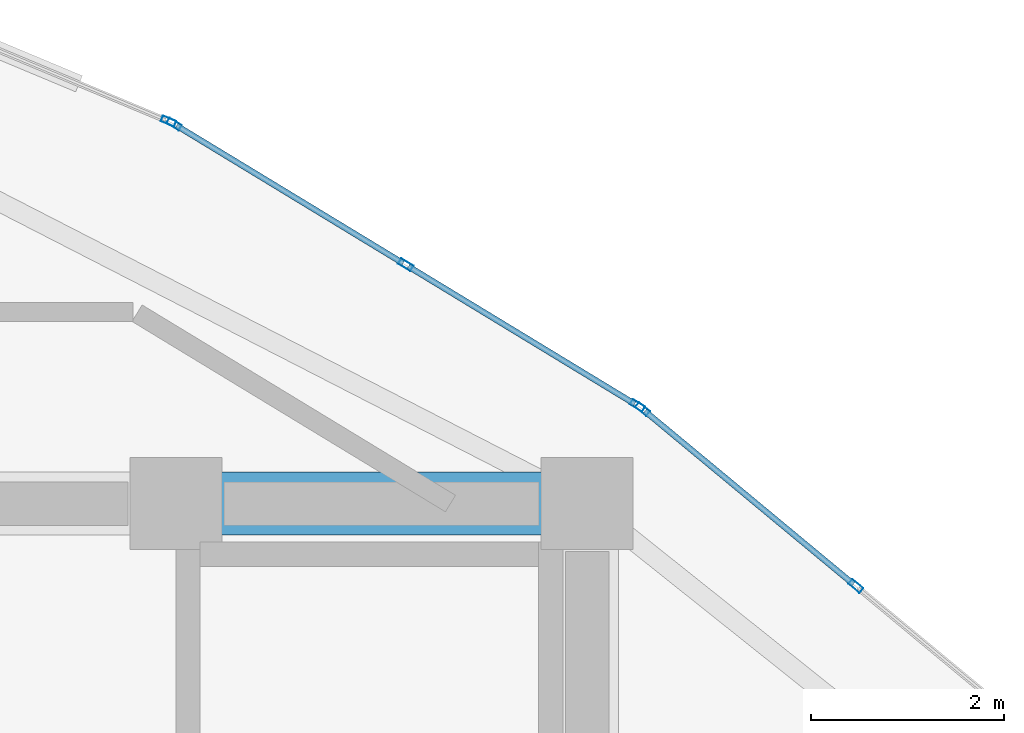
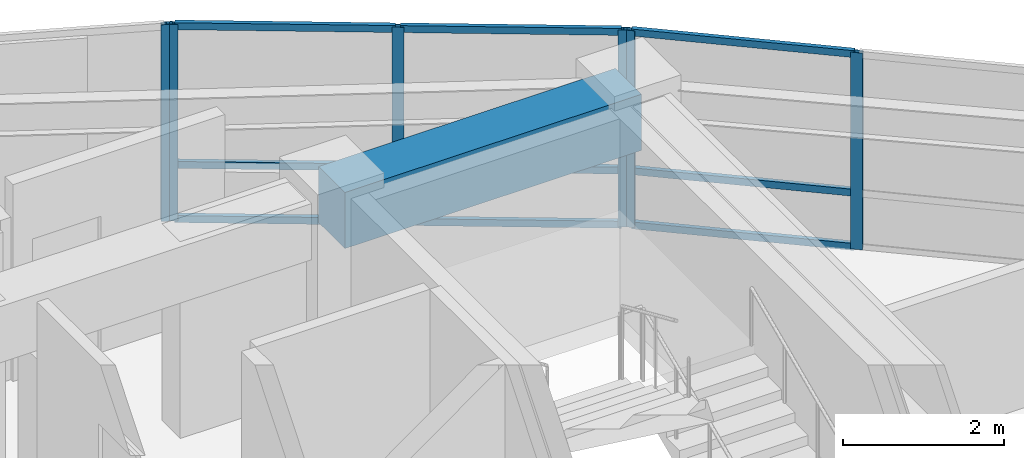
# One storey, part 10 of 14: 15 members, 1 beam, 3 elements without a shape of their own.
"""IFC4 building model written with IfcOpenShell, lengths in metres."""

import ifcopenshell
import ifcopenshell.guid

model = None  # the IFC model being written
_history = None  # IfcOwnerHistory: only IFC2X3 demands one
_inside = {}  # id of a spatial element -> (the spatial element, [elements in it])
_under = {}  # id of a project, library or spatial element -> (it, [spatial elements below it])
_declared = {}  # id of a project -> (the project, [libraries it declares])
_typed = {}  # id of a type object -> (the type object, [elements of that type])
_made_of = {}  # id of a material, layer set ... -> (it, [elements and type objects made of it])


def new_model(schema):
    """Start an empty IFC model of exactly this schema.

    Asked for "IFC4X3", IfcOpenShell would pick the latest addendum, in which some entities
    have other attributes; the version numbers below select the first issue.
    IFC2X3 requires an IfcOwnerHistory on every rooted entity: one is made here for all.
    """
    global model, _history
    if schema == "IFC4X3":
        model = ifcopenshell.file(schema_version=(4, 3, 0, 0))
    else:
        model = ifcopenshell.file(schema=schema)
    _inside.clear()
    _under.clear()
    _declared.clear()
    _typed.clear()
    _made_of.clear()
    _history = None
    if model.schema == "IFC2X3":
        org = make("IfcOrganization", Name="unknown")
        user = make(
            "IfcPersonAndOrganization",
            ThePerson=make("IfcPerson", FamilyName="unknown"),
            TheOrganization=org,
        )
        app = make(
            "IfcApplication",
            ApplicationDeveloper=org,
            Version="unknown",
            ApplicationFullName="unknown",
            ApplicationIdentifier="unknown",
        )
        _history = make(
            "IfcOwnerHistory",
            OwningUser=user,
            OwningApplication=app,
            ChangeAction="ADDED",
            CreationDate=0,
        )
    return model


def make(cls, **values):
    """One entity of the class cls with the attributes given. An attribute that is None is left unset."""
    return model.create_entity(
        cls, **{name: value for name, value in values.items() if value is not None}
    )


def rooted(cls, **values):
    """An entity with a GlobalId (a new one), such as an element, a storey or a relation."""
    return make(cls, GlobalId=ifcopenshell.guid.new(), OwnerHistory=_history, **values)


def si_unit(unit_type, name, prefix=None):
    """IfcSIUnit, for example si_unit("LENGTHUNIT", "METRE", prefix="MILLI")."""
    return make("IfcSIUnit", UnitType=unit_type, Prefix=prefix, Name=name)


def assignment(units):
    """IfcUnitAssignment: the units of a project."""
    return None if units is None else make("IfcUnitAssignment", Units=units)


def point(xyz):
    """IfcCartesianPoint."""
    return None if xyz is None else make("IfcCartesianPoint", Coordinates=xyz)


def direction(xyz):
    """IfcDirection."""
    return None if xyz is None else make("IfcDirection", DirectionRatios=xyz)


def frame(location, z_axis=None, x_axis=None):
    """IfcAxis2Placement3D, a coordinate frame: its origin and axes. An axis left out is left unset."""
    return make(
        "IfcAxis2Placement3D",
        Location=point(location),
        Axis=direction(z_axis),
        RefDirection=direction(x_axis),
    )


def frame_2d(location, x_axis=None):
    """IfcAxis2Placement2D, a coordinate frame in the plane: its origin and x axis."""
    return make(
        "IfcAxis2Placement2D", Location=point(location), RefDirection=direction(x_axis)
    )


def origin():
    """The frame at (0, 0, 0) with its axes left unset."""
    return frame((0.0, 0.0, 0.0))


def origin_2d():
    """The frame at (0, 0) in the plane with its x axis left unset."""
    return frame_2d((0.0, 0.0))


def place(relative_to, where):
    """IfcLocalPlacement: puts the frame where relative to a parent placement (None: the world)."""
    return make(
        "IfcLocalPlacement", PlacementRelTo=relative_to, RelativePlacement=where
    )


def context(
    kind, dimensions, precision=None, world=None, true_north=None, identifier=None
):
    """IfcGeometricRepresentationContext, for example the 3D "Model" context."""
    return make(
        "IfcGeometricRepresentationContext",
        ContextIdentifier=identifier,
        ContextType=kind,
        CoordinateSpaceDimension=dimensions,
        Precision=precision,
        WorldCoordinateSystem=world,
        TrueNorth=true_north,
    )


def subcontext(parent, identifier, kind, view, scale=None):
    """IfcGeometricRepresentationSubContext, for example "Body" below "Model"."""
    return make(
        "IfcGeometricRepresentationSubContext",
        ContextIdentifier=identifier,
        ContextType=kind,
        ParentContext=parent,
        TargetScale=scale,
        TargetView=view,
    )


def project(units=None, contexts=None):
    """IfcProject with its units and contexts."""
    return rooted(
        "IfcProject",
        Name="project",
        RepresentationContexts=contexts,
        UnitsInContext=assignment(units),
    )


def spatial(cls, under=None, at=None, **own):
    """A site, building, storey or space (cls), placed at a placement, below another one or the project."""
    s = rooted(cls, ObjectPlacement=at, **own)
    if under is not None:
        _under.setdefault(under.id(), (under, []))[1].append(s)
    return s


def profile(cls, at=None, kind="AREA", **sizes):
    """A parametric profile (cls). Its sizes go by their IFC names, for example OverallWidth=200.0."""
    return make(cls, ProfileType=kind, Position=at, **sizes)


def rectangle(**sizes):
    """IfcRectangleProfileDef."""
    return profile("IfcRectangleProfileDef", **sizes)


def hollow_rectangle(**sizes):
    """IfcRectangleHollowProfileDef."""
    return profile("IfcRectangleHollowProfileDef", **sizes)


def extrude(swept, where, along, depth):
    """IfcExtrudedAreaSolid: the profile swept, set in the frame where, extruded along a direction by depth."""
    return make(
        "IfcExtrudedAreaSolid",
        SweptArea=swept,
        Position=where,
        ExtrudedDirection=direction(along),
        Depth=depth,
    )


def shape(context_of_items, identifier, shape_type, items):
    """IfcShapeRepresentation: the items that make up one representation, for example the "Body"."""
    return make(
        "IfcShapeRepresentation",
        ContextOfItems=context_of_items,
        RepresentationIdentifier=identifier,
        RepresentationType=shape_type,
        Items=items,
    )


def material(Name=None, Category=None):
    """IfcMaterial."""
    return make("IfcMaterial", Name=Name, Category=Category)


def layer(
    of_material, thickness, ventilated=None, Name=None, Category=None, Priority=None
):
    """IfcMaterialLayer: one layer of a wall or slab, of a material (None: an air gap)."""
    return make(
        "IfcMaterialLayer",
        Material=of_material,
        LayerThickness=thickness,
        IsVentilated=ventilated,
        Name=Name,
        Category=Category,
        Priority=Priority,
    )


def layer_set(layers, Name=None):
    """IfcMaterialLayerSet."""
    return make("IfcMaterialLayerSet", MaterialLayers=layers, LayerSetName=Name)


def material_profile(
    of_material, cross_section, Name=None, Category=None, Priority=None
):
    """IfcMaterialProfile: a cross section and its material."""
    return make(
        "IfcMaterialProfile",
        Name=Name,
        Material=of_material,
        Profile=cross_section,
        Priority=Priority,
        Category=Category,
    )


def profile_set(profiles, Name=None, composite=None):
    """IfcMaterialProfileSet."""
    return make(
        "IfcMaterialProfileSet",
        Name=Name,
        MaterialProfiles=profiles,
        CompositeProfile=composite,
    )


def made_of(thing, what):
    """Note that an element or type object is made of a material, layer set ...; save() writes the relation."""
    if what is not None:
        _made_of.setdefault(what.id(), (what, []))[1].append(thing)
    return thing


def type_object(cls, material=None, **own):
    """A type object (cls), such as IfcWallType, which elements share."""
    return made_of(rooted(cls, **own), material)


def element(
    cls,
    number,
    at=None,
    inside=None,
    cuts=None,
    type_object=None,
    material=None,
    context=None,
    identifier="Body",
    shape_type=None,
    held_by="IfcProductDefinitionShape",
    body=None,
    shapes=None,
    **own,
):
    """One element of the class cls, such as IfcWall. Its Tag is "e" and its number.

    at: its placement. inside: the storey or other place that contains it. cuts: it is an
    opening in that element (IfcRelVoidsElement). A single representation is given by context,
    identifier, shape_type and body (its items); several are given by shapes. held_by: the class
    of the entity that holds the representations. save() writes the other relations.
    """
    e = rooted(cls, Tag="e%d" % number, ObjectPlacement=at, **own)
    if body is not None:
        shapes = [shape(context, identifier, shape_type, body)]
    if shapes is not None:
        e.Representation = make(held_by, Representations=shapes)
    if inside is not None:
        _inside.setdefault(inside.id(), (inside, []))[1].append(e)
    if cuts is not None:
        rooted(
            "IfcRelVoidsElement", RelatingBuildingElement=cuts, RelatedOpeningElement=e
        )
    if type_object is not None:
        _typed.setdefault(type_object.id(), (type_object, []))[1].append(e)
    return made_of(e, material)


def aggregate(whole, parts):
    """IfcRelAggregates: a whole, such as a stair, and the parts it consists of."""
    return rooted("IfcRelAggregates", RelatingObject=whole, RelatedObjects=parts)


def save(model, path):
    """Write the relations noted so far, then the file.

    IfcRelAggregates (storeys below a building ...), IfcRelContainedInSpatialStructure (elements
    in a storey), IfcRelDefinesByType, IfcRelAssociatesMaterial and IfcRelDeclares: one each for
    every whole, place, type object, material and project.
    """
    for whole, parts in _under.values():
        aggregate(whole, parts)
    for where, things in _inside.values():
        rooted(
            "IfcRelContainedInSpatialStructure",
            RelatedElements=things,
            RelatingStructure=where,
        )
    for kind, things in _typed.values():
        rooted("IfcRelDefinesByType", RelatedObjects=things, RelatingType=kind)
    for what, things in _made_of.values():
        rooted("IfcRelAssociatesMaterial", RelatedObjects=things, RelatingMaterial=what)
    for by, libraries in _declared.values():
        rooted("IfcRelDeclares", RelatingContext=by, RelatedDefinitions=libraries)
    model.write(path)


model = new_model("IFC4")

# Units and contexts
model_context = context("Model", 3, precision=1e-05, world=origin(), true_north=direction((0.0, 1.0)))
body_context = subcontext(model_context, "Body", "Model", "MODEL_VIEW")
ifc_project = project(units=[si_unit("LENGTHUNIT", "METRE"), si_unit("AREAUNIT", "SQUARE_METRE"), si_unit("VOLUMEUNIT", "CUBIC_METRE"), si_unit("PLANEANGLEUNIT", "RADIAN"), si_unit("MASSUNIT", "GRAM", prefix="KILO")], contexts=[model_context])

# Site, building, storey
site_placement = place(None, origin())
site = spatial("IfcSite", under=ifc_project, at=site_placement, CompositionType="ELEMENT")
building_placement = place(site_placement, origin())
building = spatial("IfcBuilding", under=site, at=building_placement, Name="Menara Vayukalpa", CompositionType="ELEMENT")
storey_placement = place(building_placement, frame((0.0, 0.0, 299.219970703125)))
storey = spatial("IfcBuildingStorey", under=building, at=storey_placement, Name="L76", CompositionType="ELEMENT", Elevation=299.219970703125)

# Beam
ifc_material_1 = material(Name="Concrete C60/75", Category="concrete")
ifc_material_profile_1 = material_profile(ifc_material_1, rectangle(XDim=0.64990234375, YDim=0.85009765625, at=origin_2d()), Name="RC 650x850")
ifc_profile_set_1 = profile_set([ifc_material_profile_1], Name="Concrete C60/75")
beam_type = type_object("IfcBeamType", Name="BM-CB1", PredefinedType="BEAM", material=ifc_profile_set_1)
beam_placement = place(storey_placement, frame((29.14990234375, 26.800048828125, 2.554931640625), z_axis=(1.0, 0.0, 0.0), x_axis=(0.0, 1.0, 0.0)))
element("IfcBeam", 1, at=beam_placement, inside=storey, type_object=beam_type, Name="L76 Core Tie Beam CBR6", PredefinedType="BEAM", context=body_context, shape_type="SweptSolid", body=[
    extrude(rectangle(XDim=0.64990234375, YDim=0.85009765625, at=origin_2d()), origin(), (0.0, 0.0, 1.0), 4.25),
])

# Curtain wall, members
ifc_material_2 = material(Name="Anodised Terracotta Aluminium Alloy 6063-T6", Category="masonry")
ifc_layer = layer(ifc_material_2, 0.14990234375)
ifc_layer_set = layer_set([ifc_layer], Name="Anodised Terracotta Aluminium Alloy 6063-T6")
curtain_wall_type = type_object("IfcCurtainWallType", Name="CW-CW7", PredefinedType="USERDEFINED", material=ifc_layer_set)
curtain_wall_1_placement = place(storey_placement, origin())
curtain_wall_1 = element("IfcCurtainWall", 2, at=curtain_wall_1_placement, inside=storey, type_object=curtain_wall_type, Name="L76 Crown Drum Screened Curtain Wall CW7 03", ObjectType="UNITISED", PredefinedType="USERDEFINED")
ifc_material_3 = material(Name="Anodised Terracotta Aluminium Alloy 6063-T6", Category="masonry")
ifc_material_profile_2 = material_profile(ifc_material_3, hollow_rectangle(XDim=0.06494140625, YDim=0.14990234375, WallThickness=0.00341796875, at=origin_2d()), Name="ALU 65x150x3.5")
ifc_profile_set_2 = profile_set([ifc_material_profile_2], Name="Anodised Terracotta Aluminium Alloy 6063-T6")
member_type_1 = type_object("IfcMemberType", Name="CWM-CW7", PredefinedType="MULLION", material=ifc_profile_set_2)
member_1_placement = place(storey_placement, frame((36.1796875, 25.946533203125, 0.0), z_axis=(0.0, 0.0, 1.0), x_axis=(-0.63834658997, -0.7697490702, 0.0)))
member_1 = element("IfcMember", 3, at=member_1_placement, type_object=member_type_1, Name="CW7 mullion 2", PredefinedType="MULLION", context=body_context, shape_type="SweptSolid", body=[
    extrude(hollow_rectangle(XDim=0.06494140625, YDim=0.14990234375, WallThickness=0.00341796875, at=origin_2d()), origin(), (0.0, 0.0, 1.0), 2.97998046875),
])
member_2_placement = place(storey_placement, frame((33.9736328125, 27.776123046875, 0.0), z_axis=(0.0, 0.0, 1.0), x_axis=(-0.63834658997, -0.7697490702, 0.0)))
member_2 = element("IfcMember", 4, at=member_2_placement, type_object=member_type_1, Name="CW7 mullion 3", PredefinedType="MULLION", context=body_context, shape_type="SweptSolid", body=[
    extrude(hollow_rectangle(XDim=0.06494140625, YDim=0.14990234375, WallThickness=0.00341796875, at=origin_2d()), origin(), (0.0, 0.0, 1.0), 2.97998046875),
])

curtain_wall_2_placement = place(storey_placement, origin())
curtain_wall_2 = element("IfcCurtainWall", 5, at=curtain_wall_2_placement, inside=storey, type_object=curtain_wall_type, Name="L76 Crown Drum Screened Curtain Wall CW7 04", ObjectType="UNITISED", PredefinedType="USERDEFINED")
member_3_placement = place(storey_placement, frame((33.9208984375, 27.813720703125, 0.0), z_axis=(0.0, 0.0, 1.0), x_axis=(-0.519176441176, -0.854667083096, 0.0)))
member_3 = element("IfcMember", 6, at=member_3_placement, type_object=member_type_1, Name="CW7 mullion 1", PredefinedType="MULLION", context=body_context, shape_type="SweptSolid", body=[
    extrude(hollow_rectangle(XDim=0.06494140625, YDim=0.14990234375, WallThickness=0.00341796875, at=origin_2d()), origin(), (0.0, 0.0, 1.0), 2.97998046875),
])
member_4_placement = place(storey_placement, frame((31.525146484375, 29.26904296875, 0.0), z_axis=(0.0, 0.0, 1.0), x_axis=(-0.519176441176, -0.854667083096, 0.0)))
member_4 = element("IfcMember", 7, at=member_4_placement, type_object=member_type_1, Name="CW7 mullion 2", PredefinedType="MULLION", context=body_context, shape_type="SweptSolid", body=[
    extrude(hollow_rectangle(XDim=0.06494140625, YDim=0.14990234375, WallThickness=0.00341796875, at=origin_2d()), origin(), (0.0, 0.0, 1.0), 2.97998046875),
])
member_5_placement = place(storey_placement, frame((29.129638671875, 30.72412109375, 0.0), z_axis=(0.0, 0.0, 1.0), x_axis=(-0.519176441176, -0.854667083096, 0.0)))
member_5 = element("IfcMember", 8, at=member_5_placement, type_object=member_type_1, Name="CW7 mullion 3", PredefinedType="MULLION", context=body_context, shape_type="SweptSolid", body=[
    extrude(hollow_rectangle(XDim=0.06494140625, YDim=0.14990234375, WallThickness=0.00341796875, at=origin_2d()), origin(), (0.0, 0.0, 1.0), 2.97998046875),
])

# Curtain wall, member
curtain_wall_3_placement = place(storey_placement, origin())
curtain_wall_3 = element("IfcCurtainWall", 9, at=curtain_wall_3_placement, inside=storey, type_object=curtain_wall_type, Name="L76 Crown Drum Screened Curtain Wall CW7 05", ObjectType="UNITISED", PredefinedType="USERDEFINED")
member_6_placement = place(storey_placement, frame((29.07177734375, 30.753662109375, 0.0), z_axis=(0.0, 0.0, 1.0), x_axis=(-0.385898361946, -0.922541302191, 0.0)))
member_6 = element("IfcMember", 10, at=member_6_placement, type_object=member_type_1, Name="CW7 mullion 1", PredefinedType="MULLION", context=body_context, shape_type="SweptSolid", body=[
    extrude(hollow_rectangle(XDim=0.06494140625, YDim=0.14990234375, WallThickness=0.00341796875, at=origin_2d()), origin(), (0.0, 0.0, 1.0), 2.97998046875),
])
aggregate(curtain_wall_3, [member_6])

# Member
ifc_material_4 = material(Name="Anodised Terracotta Aluminium Alloy 6063-T6", Category="masonry")
ifc_material_profile_3 = material_profile(ifc_material_4, hollow_rectangle(XDim=0.06005859375, YDim=0.10498046875, WallThickness=0.0029296875, at=origin_2d()), Name="ALU 60x105x3")
ifc_profile_set_3 = profile_set([ifc_material_profile_3], Name="Anodised Terracotta Aluminium Alloy 6063-T6")
member_type_2 = type_object("IfcMemberType", Name="CWT-CW7", PredefinedType="USERDEFINED", material=ifc_profile_set_3)
member_7_placement = place(storey_placement, frame((36.15478515625, 25.96728515625, 0.030029296875), z_axis=(-0.769726621741, 0.638373658434, 0.0), x_axis=(-0.638373658434, -0.769726621741, 0.0)))
member_7 = element("IfcMember", 11, at=member_7_placement, type_object=member_type_2, Name="CW7 transom 2.1", ObjectType="TRANSOM", PredefinedType="USERDEFINED", context=body_context, shape_type="SweptSolid", body=[
    extrude(hollow_rectangle(XDim=0.06005859375, YDim=0.10498046875, WallThickness=0.0029296875, at=origin_2d()), origin(), (0.0, 0.0, 1.0), 2.801025390625),
])

member_8_placement = place(storey_placement, frame((36.15478515625, 25.96728515625, 0.85009765625), z_axis=(-0.769726621741, 0.638373658434, 0.0), x_axis=(-0.638373658434, -0.769726621741, 0.0)))
member_8 = element("IfcMember", 12, at=member_8_placement, type_object=member_type_2, Name="CW7 transom 2.2", ObjectType="TRANSOM", PredefinedType="USERDEFINED", context=body_context, shape_type="SweptSolid", body=[
    extrude(hollow_rectangle(XDim=0.06005859375, YDim=0.10498046875, WallThickness=0.0029296875, at=origin_2d()), origin(), (0.0, 0.0, 1.0), 2.801025390625),
])

member_9_placement = place(storey_placement, frame((36.15478515625, 25.96728515625, 2.949951171875), z_axis=(-0.769726621741, 0.638373658434, 0.0), x_axis=(-0.638373658434, -0.769726621741, 0.0)))
member_9 = element("IfcMember", 13, at=member_9_placement, type_object=member_type_2, Name="CW7 transom 2.3", ObjectType="TRANSOM", PredefinedType="USERDEFINED", context=body_context, shape_type="SweptSolid", body=[
    extrude(hollow_rectangle(XDim=0.06005859375, YDim=0.10498046875, WallThickness=0.0029296875, at=origin_2d()), origin(), (0.0, 0.0, 1.0), 2.801025390625),
])

aggregate(curtain_wall_1, [member_1, member_2, member_7, member_8, member_9])

member_10_placement = place(storey_placement, frame((33.89306640625, 27.83056640625, 0.030029296875), z_axis=(-0.854647628743, 0.519208465537, 0.0), x_axis=(-0.519208465537, -0.854647628743, 0.0)))
member_10 = element("IfcMember", 14, at=member_10_placement, type_object=member_type_2, Name="CW7 transom 1.1", ObjectType="TRANSOM", PredefinedType="USERDEFINED", context=body_context, shape_type="SweptSolid", body=[
    extrude(hollow_rectangle(XDim=0.06005859375, YDim=0.10498046875, WallThickness=0.0029296875, at=origin_2d()), origin(), (0.0, 0.0, 1.0), 2.738037109375),
])

member_11_placement = place(storey_placement, frame((33.89306640625, 27.83056640625, 0.85009765625), z_axis=(-0.854647628743, 0.519208465537, 0.0), x_axis=(-0.519208465537, -0.854647628743, 0.0)))
member_11 = element("IfcMember", 15, at=member_11_placement, type_object=member_type_2, Name="CW7 transom 1.2", ObjectType="TRANSOM", PredefinedType="USERDEFINED", context=body_context, shape_type="SweptSolid", body=[
    extrude(hollow_rectangle(XDim=0.06005859375, YDim=0.10498046875, WallThickness=0.0029296875, at=origin_2d()), origin(), (0.0, 0.0, 1.0), 2.738037109375),
])

member_12_placement = place(storey_placement, frame((33.89306640625, 27.83056640625, 2.949951171875), z_axis=(-0.854647628743, 0.519208465537, 0.0), x_axis=(-0.519208465537, -0.854647628743, 0.0)))
member_12 = element("IfcMember", 16, at=member_12_placement, type_object=member_type_2, Name="CW7 transom 1.3", ObjectType="TRANSOM", PredefinedType="USERDEFINED", context=body_context, shape_type="SweptSolid", body=[
    extrude(hollow_rectangle(XDim=0.06005859375, YDim=0.10498046875, WallThickness=0.0029296875, at=origin_2d()), origin(), (0.0, 0.0, 1.0), 2.738037109375),
])

member_13_placement = place(storey_placement, frame((31.49755859375, 29.285888671875, 0.030029296875), z_axis=(-0.854687194246, 0.519143332801, 0.0), x_axis=(-0.519143332801, -0.854687194246, 0.0)))
member_13 = element("IfcMember", 17, at=member_13_placement, type_object=member_type_2, Name="CW7 transom 2.1", ObjectType="TRANSOM", PredefinedType="USERDEFINED", context=body_context, shape_type="SweptSolid", body=[
    extrude(hollow_rectangle(XDim=0.06005859375, YDim=0.10498046875, WallThickness=0.0029296875, at=origin_2d()), origin(), (0.0, 0.0, 1.0), 2.738037109375),
])

member_14_placement = place(storey_placement, frame((31.49755859375, 29.285888671875, 0.85009765625), z_axis=(-0.854687194246, 0.519143332801, 0.0), x_axis=(-0.519143332801, -0.854687194246, 0.0)))
member_14 = element("IfcMember", 18, at=member_14_placement, type_object=member_type_2, Name="CW7 transom 2.2", ObjectType="TRANSOM", PredefinedType="USERDEFINED", context=body_context, shape_type="SweptSolid", body=[
    extrude(hollow_rectangle(XDim=0.06005859375, YDim=0.10498046875, WallThickness=0.0029296875, at=origin_2d()), origin(), (0.0, 0.0, 1.0), 2.738037109375),
])

member_15_placement = place(storey_placement, frame((31.49755859375, 29.285888671875, 2.949951171875), z_axis=(-0.854687194246, 0.519143332801, 0.0), x_axis=(-0.519143332801, -0.854687194246, 0.0)))
member_15 = element("IfcMember", 19, at=member_15_placement, type_object=member_type_2, Name="CW7 transom 2.3", ObjectType="TRANSOM", PredefinedType="USERDEFINED", context=body_context, shape_type="SweptSolid", body=[
    extrude(hollow_rectangle(XDim=0.06005859375, YDim=0.10498046875, WallThickness=0.0029296875, at=origin_2d()), origin(), (0.0, 0.0, 1.0), 2.738037109375),
])

aggregate(curtain_wall_2, [member_3, member_4, member_5, member_10, member_11, member_12, member_13, member_14, member_15])

save(model, "model.ifc")
